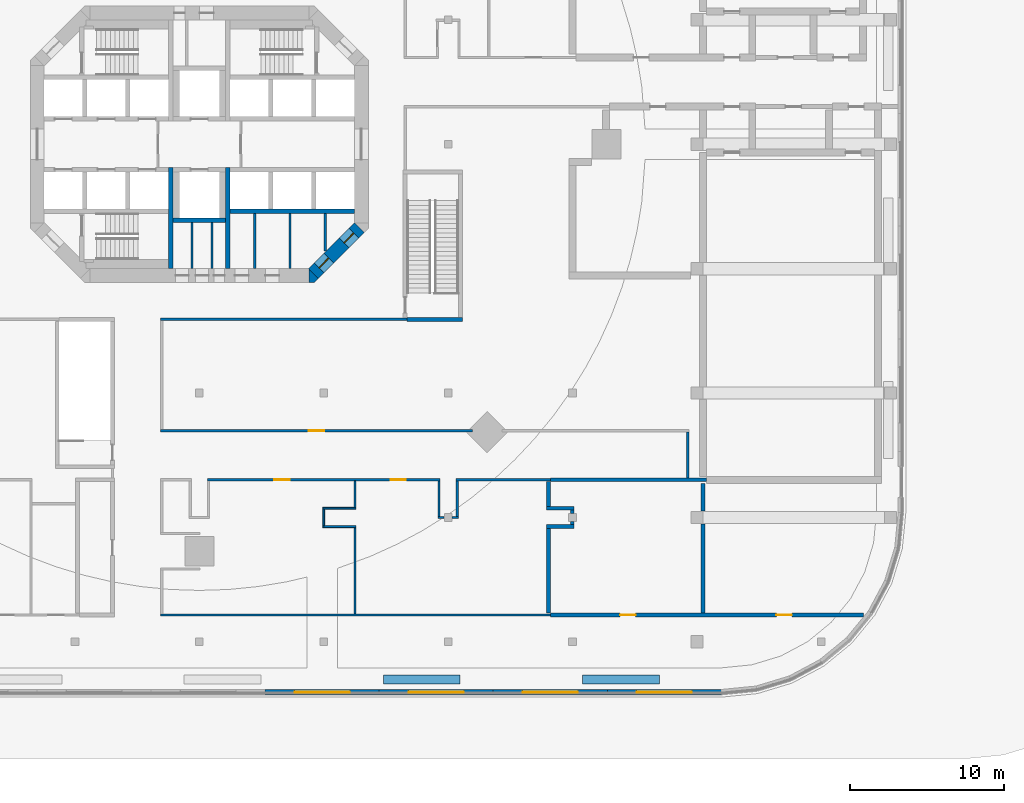
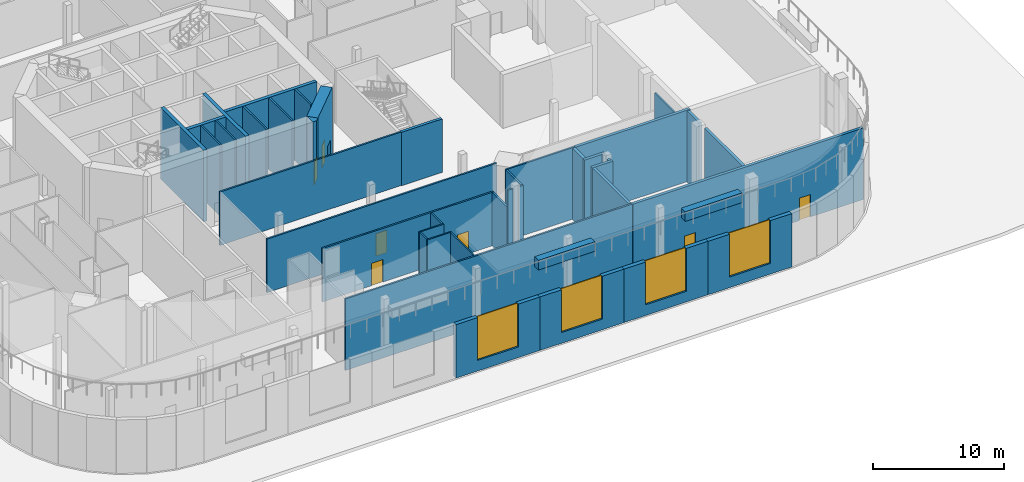
# One storey, part 8 of 17: 43 walls, 7 doors, 4 windows, 11 openings.
"""IFC4 building model written with IfcOpenShell, lengths in metres."""

from ifc_helpers import new_model, si_unit, direction, frame, frame_2d, origin, place, context, subcontext, project, spatial, polyline, rectangle, outline, extrude, material, layer, layer_set, type_object, element, fill, save


model = new_model("IFC4")

# Units and contexts
model_context = context("Model", 3, precision=1e-05, world=origin(), true_north=direction((0.0, 1.0)))
body_context = subcontext(model_context, "Body", "Model", "MODEL_VIEW")
ifc_project = project(units=[si_unit("LENGTHUNIT", "METRE"), si_unit("AREAUNIT", "SQUARE_METRE"), si_unit("VOLUMEUNIT", "CUBIC_METRE"), si_unit("PLANEANGLEUNIT", "RADIAN"), si_unit("MASSUNIT", "GRAM", prefix="KILO")], contexts=[model_context])

# Site, building, storey
site_placement = place(None, origin())
site = spatial("IfcSite", under=ifc_project, at=site_placement, CompositionType="ELEMENT")
building_placement = place(site_placement, origin())
building = spatial("IfcBuilding", under=site, at=building_placement, Name="Torre Triforio", CompositionType="ELEMENT")
storey_placement = place(building_placement, frame((0.0, 0.0, 13.0)))
storey = spatial("IfcBuildingStorey", under=building, at=storey_placement, Name="L02", CompositionType="ELEMENT", Elevation=13.0)

# Walls
ifc_material_1 = material(Name="Concrete C60", Category="concrete")
ifc_layer_1 = layer(ifc_material_1, 0.300048828125)
ifc_layer_set_1 = layer_set([ifc_layer_1], Name="Concrete C60")
wall_type_1 = type_object("IfcWallType", Name="Core wall 300 mm C60 EI 120", PredefinedType="SHEAR", material=ifc_layer_set_1)
for number, where, z_axis, x_axis, name in (
    (1, (-1.85009765625, -8.10009765625, 0.0), (0.0, 0.0, 1.0), (0.0, 1.0, 0.0), "Core wall"),
    (2, (1.85009765625, -8.10009765625, 0.0), (0.0, 0.0, 1.0), (0.0, 1.0, 0.0), "Core wall"),
):
    element("IfcWall", number, at=place(storey_placement, frame(where, z_axis=z_axis, x_axis=x_axis)), inside=storey, type_object=wall_type_1, Name=name, PredefinedType="SHEAR", context=body_context, shape_type="SweptSolid", body=[
        extrude(rectangle(XDim=6.60009765625, YDim=0.300048828125, at=frame_2d((3.300048828125, 0.0))), origin(), (0.0, 0.0, 1.0), 6.679931640625),
    ])

# Wall, openings, doors
ifc_layer_2 = layer(ifc_material_1, 0.89990234375)
ifc_layer_set_2 = layer_set([ifc_layer_2], Name="Concrete C60")
wall_type_2 = type_object("IfcWallType", Name="Core wall 900 mm C60 EI 120", PredefinedType="SHEAR", material=ifc_layer_set_2)
wall_1_placement = place(storey_placement, frame((10.418212890625, -5.418212890625, -0.320068359375), z_axis=(0.0, 0.0, 1.0), x_axis=(-0.707106781187, -0.707106781187, 0.0)))
wall_1 = element("IfcWall", 3, at=wall_1_placement, inside=storey, type_object=wall_type_2, Name="Core wall", PredefinedType="SHEAR", context=body_context, shape_type="SweptSolid", body=[
    extrude(rectangle(XDim=4.24267578125, YDim=0.89990234375, at=frame_2d((2.121337890625, 0.0))), origin(), (0.0, 0.0, 1.0), 7.0),
])
opening_1_placement = place(wall_1_placement, frame((2.82275390625, 0.0, 0.320068359375)))
opening_1 = element("IfcOpeningElement", 4, at=opening_1_placement, cuts=wall_1, Name="Opening SE-03", PredefinedType="OPENING", context=body_context, shape_type="SweptSolid", body=[
    extrude(rectangle(XDim=0.89990234375, YDim=2.10009765625, at=frame_2d((0.449951171875, 1.050048828125))), frame((0.0, 0.4599609375, 0.0), z_axis=(0.0, -1.0, 0.0), x_axis=(1.0, 0.0, 0.0)), (0.0, 0.0, 1.0), 0.919921875),
])
opening_2_placement = place(wall_1_placement, frame((0.52001953125, 0.0, 0.320068359375)))
opening_2 = element("IfcOpeningElement", 5, at=opening_2_placement, cuts=wall_1, Name="Opening SE-04", PredefinedType="OPENING", context=body_context, shape_type="SweptSolid", body=[
    extrude(rectangle(XDim=0.89990234375, YDim=2.10009765625, at=frame_2d((0.449951171875, 1.050048828125))), frame((0.0, 0.4599609375, 0.0), z_axis=(0.0, -1.0, 0.0), x_axis=(1.0, 0.0, 0.0)), (0.0, 0.0, 1.0), 0.919921875),
])
ifc_material_2 = material(Name="Hollow metal fire door leaf")
door_type_1 = type_object("IfcDoorType", Name="Room door 900 x 2100 EI 60", OperationType="NOTDEFINED", PredefinedType="DOOR", material=ifc_material_2)
door_1_placement = place(opening_1_placement, origin())
door_1 = element("IfcDoor", 6, at=door_1_placement, inside=storey, type_object=door_type_1, Name="Core door SE-03", OperationType="SINGLE_SWING_RIGHT", OverallHeight=2.10009765625, OverallWidth=0.89990234375, PredefinedType="DOOR", context=body_context, shape_type="SweptSolid", body=[
    extrude(rectangle(XDim=0.89990234375, YDim=2.10009765625, at=frame_2d((0.449951171875, 1.050048828125))), frame((0.0, 0.02490234375, 0.0), z_axis=(0.0, -1.0, 0.0), x_axis=(1.0, 0.0, 0.0)), (0.0, 0.0, 1.0), 0.050048828125),
])
fill(opening_1, door_1)
door_2_placement = place(opening_2_placement, origin())
door_2 = element("IfcDoor", 7, at=door_2_placement, inside=storey, type_object=door_type_1, Name="Core door SE-04", OperationType="SINGLE_SWING_LEFT", OverallHeight=2.10009765625, OverallWidth=0.89990234375, PredefinedType="DOOR", context=body_context, shape_type="SweptSolid", body=[
    extrude(rectangle(XDim=0.89990234375, YDim=2.10009765625, at=frame_2d((0.449951171875, 1.050048828125))), frame((0.0, 0.02490234375, 0.0), z_axis=(0.0, -1.0, 0.0), x_axis=(1.0, 0.0, 0.0)), (0.0, 0.0, 1.0), 0.050048828125),
])
fill(opening_2, door_2)

# Wall
wall_2_placement = place(storey_placement, frame((0.0, 0.0, -0.320068359375)))
element("IfcWall", 8, at=wall_2_placement, inside=storey, type_object=wall_type_2, Name="Core wall", PredefinedType="SHEAR", context=body_context, shape_type="SweptSolid", body=[
    extrude(outline(polyline([(7.472900390625, -9.0), (7.1298828125, -9.0), (7.1298828125, -8.1298828125), (7.736328125, -8.736328125), (7.472900390625, -9.0)])), origin(), (0.0, 0.0, 1.0), 7.0),
])

# Wall, openings, doors
ifc_material_3 = material(Name="Plasterboard on metal studs")
ifc_layer_3 = layer(ifc_material_3, 0.14990234375)
ifc_layer_set_3 = layer_set([ifc_layer_3], Name="Plasterboard on metal studs")
wall_type_3 = type_object("IfcWallType", Name="Corridor wall 150 EI 60", PredefinedType="PARTITIONING", material=ifc_layer_set_3)
wall_3_placement = place(storey_placement, frame((0.52490234375, -21.85009765625, 0.0), z_axis=(0.0, 0.0, 1.0), x_axis=(1.0, 0.0, 0.0)))
wall_3 = element("IfcWall", 9, at=wall_3_placement, inside=storey, type_object=wall_type_3, Name="Corridor wall L02 108", PredefinedType="PARTITIONING", context=body_context, shape_type="SweptSolid", body=[
    extrude(rectangle(XDim=15.150146484375, YDim=0.14990234375, at=frame_2d((7.5751953125, 0.0))), origin(), (0.0, 0.0, 1.0), 5.0),
])
opening_3_placement = place(wall_3_placement, frame((4.35009765625, 0.0, 0.0)))
opening_3 = element("IfcOpeningElement", 10, at=opening_3_placement, cuts=wall_3, Name="Opening P2-24", PredefinedType="OPENING", context=body_context, shape_type="SweptSolid", body=[
    extrude(rectangle(XDim=1.0, YDim=2.10009765625, at=frame_2d((0.5, 1.050048828125))), frame((0.0, 0.0849609375, 0.0), z_axis=(0.0, -1.0, 0.0), x_axis=(1.0, 0.0, 0.0)), (0.0, 0.0, 1.0), 0.169921875),
])
opening_4_placement = place(wall_3_placement, frame((11.92431640625, 0.0, 0.0)))
opening_4 = element("IfcOpeningElement", 11, at=opening_4_placement, cuts=wall_3, Name="Opening P2-25", PredefinedType="OPENING", context=body_context, shape_type="SweptSolid", body=[
    extrude(rectangle(XDim=1.0, YDim=2.10009765625, at=frame_2d((0.5, 1.050048828125))), frame((0.0, 0.0849609375, 0.0), z_axis=(0.0, -1.0, 0.0), x_axis=(1.0, 0.0, 0.0)), (0.0, 0.0, 1.0), 0.169921875),
])
ifc_material_4 = material(Name="Timber door leaf", Category="wood")
door_type_2 = type_object("IfcDoorType", Name="Single door 1000 x 2100 EI 30", OperationType="NOTDEFINED", PredefinedType="DOOR", material=ifc_material_4)
door_3_placement = place(opening_3_placement, origin())
door_3 = element("IfcDoor", 12, at=door_3_placement, inside=storey, type_object=door_type_2, Name="Door P2-24", OperationType="SINGLE_SWING_LEFT", OverallHeight=2.10009765625, OverallWidth=1.0, PredefinedType="DOOR", context=body_context, shape_type="SweptSolid", body=[
    extrude(rectangle(XDim=1.0, YDim=2.10009765625, at=frame_2d((0.5, 1.050048828125))), frame((0.0, 0.02490234375, 0.0), z_axis=(0.0, -1.0, 0.0), x_axis=(1.0, 0.0, 0.0)), (0.0, 0.0, 1.0), 0.050048828125),
])
fill(opening_3, door_3)
door_4_placement = place(opening_4_placement, origin())
door_4 = element("IfcDoor", 13, at=door_4_placement, inside=storey, type_object=door_type_2, Name="Door P2-25", OperationType="SINGLE_SWING_LEFT", OverallHeight=2.10009765625, OverallWidth=1.0, PredefinedType="DOOR", context=body_context, shape_type="SweptSolid", body=[
    extrude(rectangle(XDim=1.0, YDim=2.10009765625, at=frame_2d((0.5, 1.050048828125))), frame((0.0, 0.02490234375, 0.0), z_axis=(0.0, -1.0, 0.0), x_axis=(1.0, 0.0, 0.0)), (0.0, 0.0, 1.0), 0.050048828125),
])
fill(opening_4, door_4)

# Walls
wall_4_placement = place(storey_placement, frame((-2.52490234375, -30.64990234375, 0.0), z_axis=(0.0, 0.0, 1.0), x_axis=(1.0, 0.0, 0.0)))
element("IfcWall", 14, at=wall_4_placement, inside=storey, type_object=wall_type_3, Name="Corridor wall L02 111", PredefinedType="PARTITIONING", context=body_context, shape_type="SweptSolid", body=[
    extrude(rectangle(XDim=25.37841796875, YDim=0.14990234375, at=frame_2d((12.689208984375, 0.0))), origin(), (0.0, 0.0, 1.0), 6.679931640625),
])
for number, where, z_axis, x_axis, name in (
    (15, (15.52490234375, -24.300048828125, 0.0), (0.0, 0.0, 1.0), (1.0, 0.0, 0.0), "Corridor wall L02 116"),
    (16, (16.4599609375, -24.300048828125, 0.0), (0.0, 0.0, 1.0), (1.0, 0.0, 0.0), "Corridor wall L02 117"),
):
    element("IfcWall", number, at=place(storey_placement, frame(where, z_axis=z_axis, x_axis=x_axis)), inside=storey, type_object=wall_type_3, Name=name, PredefinedType="PARTITIONING", context=body_context, shape_type="SweptSolid", body=[
        extrude(rectangle(XDim=0.4150390625, YDim=0.14990234375, at=frame_2d((0.20751953125, 0.0))), origin(), (0.0, 0.0, 1.0), 6.679931640625),
    ])
wall_5_placement = place(storey_placement, frame((16.72509765625, -21.85009765625, 0.0), z_axis=(0.0, 0.0, 1.0), x_axis=(1.0, 0.0, 0.0)))
element("IfcWall", 17, at=wall_5_placement, inside=storey, type_object=wall_type_3, Name="Corridor wall L02 118", PredefinedType="PARTITIONING", context=body_context, shape_type="SweptSolid", body=[
    extrude(rectangle(XDim=6.12841796875, YDim=0.14990234375, at=frame_2d((3.064208984375, 0.0))), origin(), (0.0, 0.0, 1.0), 6.679931640625),
])
wall_6_placement = place(storey_placement, frame((15.60009765625, -24.22509765625, 0.0), z_axis=(0.0, 0.0, 1.0), x_axis=(0.0, 1.0, 0.0)))
element("IfcWall", 18, at=wall_6_placement, inside=storey, type_object=wall_type_3, Name="Corridor wall L02 119", PredefinedType="PARTITIONING", context=body_context, shape_type="SweptSolid", body=[
    extrude(rectangle(XDim=2.300048828125, YDim=0.14990234375, at=frame_2d((1.14990234375, 0.0))), origin(), (0.0, 0.0, 1.0), 5.0),
])
wall_7_placement = place(storey_placement, frame((16.800048828125, -24.22509765625, 0.0), z_axis=(0.0, 0.0, 1.0), x_axis=(0.0, 1.0, 0.0)))
element("IfcWall", 19, at=wall_7_placement, inside=storey, type_object=wall_type_3, Name="Corridor wall L02 120", PredefinedType="PARTITIONING", context=body_context, shape_type="SweptSolid", body=[
    extrude(rectangle(XDim=2.300048828125, YDim=0.14990234375, at=frame_2d((1.14990234375, 0.0))), origin(), (0.0, 0.0, 1.0), 6.679931640625),
])
wall_8_placement = place(storey_placement, frame((-2.52490234375, -11.39990234375, 0.0), z_axis=(0.0, 0.0, 1.0), x_axis=(1.0, 0.0, 0.0)))
element("IfcWall", 20, at=wall_8_placement, inside=storey, type_object=wall_type_3, Name="Corridor wall L02 141", PredefinedType="PARTITIONING", context=body_context, shape_type="SweptSolid", body=[
    extrude(rectangle(XDim=16.0498046875, YDim=0.14990234375, at=frame_2d((8.02490234375, 0.0))), origin(), (0.0, 0.0, 1.0), 5.0),
])

# Wall, opening, door
wall_9_placement = place(storey_placement, frame((-2.52490234375, -18.64990234375, 0.0), z_axis=(0.0, 0.0, 1.0), x_axis=(1.0, 0.0, 0.0)))
wall_9 = element("IfcWall", 21, at=wall_9_placement, inside=storey, type_object=wall_type_3, Name="Corridor wall L02 147", PredefinedType="PARTITIONING", context=body_context, shape_type="SweptSolid", body=[
    extrude(rectangle(XDim=20.30322265625, YDim=0.14990234375, at=frame_2d((10.151611328125, 0.0))), origin(), (0.0, 0.0, 1.0), 5.0),
])
opening_5_placement = place(wall_9_placement, frame((9.64990234375, 0.0, 0.0)))
opening_5 = element("IfcOpeningElement", 22, at=opening_5_placement, cuts=wall_9, Name="Opening P2-20", PredefinedType="OPENING", context=body_context, shape_type="SweptSolid", body=[
    extrude(rectangle(XDim=1.0, YDim=2.10009765625, at=frame_2d((0.5, 1.050048828125))), frame((0.0, 0.0849609375, 0.0), z_axis=(0.0, -1.0, 0.0), x_axis=(1.0, 0.0, 0.0)), (0.0, 0.0, 1.0), 0.169921875),
])
door_5_placement = place(opening_5_placement, origin())
door_5 = element("IfcDoor", 23, at=door_5_placement, inside=storey, type_object=door_type_2, Name="Door P2-20", OperationType="SINGLE_SWING_LEFT", OverallHeight=2.10009765625, OverallWidth=1.0, PredefinedType="DOOR", context=body_context, shape_type="SweptSolid", body=[
    extrude(rectangle(XDim=1.0, YDim=2.10009765625, at=frame_2d((0.5, 1.050048828125))), frame((0.0, 0.02490234375, 0.0), z_axis=(0.0, -1.0, 0.0), x_axis=(1.0, 0.0, 0.0)), (0.0, 0.0, 1.0), 0.050048828125),
])
fill(opening_5, door_5)

# Walls
wall_10_placement = place(storey_placement, frame((31.800048828125, -21.72509765625, 0.0), z_axis=(0.0, 0.0, 1.0), x_axis=(0.0, 1.0, 0.0)))
element("IfcWall", 24, at=wall_10_placement, inside=storey, type_object=wall_type_3, Name="Corridor wall L02 149", PredefinedType="PARTITIONING", context=body_context, shape_type="SweptSolid", body=[
    extrude(rectangle(XDim=3.0, YDim=0.14990234375, at=frame_2d((1.5, 0.0))), origin(), (0.0, 0.0, 1.0), 6.679931640625),
])
ifc_layer_4 = layer(ifc_material_3, 0.1201171875)
ifc_layer_set_4 = layer_set([ifc_layer_4], Name="Plasterboard on metal studs")
wall_type_4 = type_object("IfcWallType", Name="Partition 120", PredefinedType="PARTITIONING", material=ifc_layer_set_4)
for number, where, z_axis, x_axis, name in (
    (25, (8.0400390625, -24.89990234375, 0.0), (0.0, 0.0, 1.0), (1.0, 0.0, 0.0), "Partition L02 101"),
    (26, (8.0400390625, -23.699951171875, 0.0), (0.0, 0.0, 1.0), (1.0, 0.0, 0.0), "Partition L02 102"),
):
    element("IfcWall", number, at=place(storey_placement, frame(where, z_axis=z_axis, x_axis=x_axis)), inside=storey, type_object=wall_type_4, Name=name, PredefinedType="PARTITIONING", context=body_context, shape_type="SweptSolid", body=[
        extrude(rectangle(XDim=2.1591796875, YDim=0.1201171875, at=frame_2d((1.07958984375, 0.0))), origin(), (0.0, 0.0, 1.0), 5.0),
    ])
wall_11_placement = place(storey_placement, frame((8.10009765625, -24.840087890625, 0.0), z_axis=(0.0, 0.0, 1.0), x_axis=(0.0, 1.0, 0.0)))
element("IfcWall", 27, at=wall_11_placement, inside=storey, type_object=wall_type_4, Name="Partition L02 103", PredefinedType="PARTITIONING", context=body_context, shape_type="SweptSolid", body=[
    extrude(rectangle(XDim=1.080078125, YDim=0.1201171875, at=frame_2d((0.5400390625, 0.0))), origin(), (0.0, 0.0, 1.0), 5.0),
])
wall_12_placement = place(storey_placement, frame((10.139404296875, -30.574951171875, 0.0), z_axis=(0.0, 0.0, 1.0), x_axis=(0.0, 1.0, 0.0)))
element("IfcWall", 28, at=wall_12_placement, inside=storey, type_object=wall_type_4, Name="Partition L02 104", PredefinedType="PARTITIONING", context=body_context, shape_type="SweptSolid", body=[
    extrude(rectangle(XDim=5.614990234375, YDim=0.1201171875, at=frame_2d((2.8076171875, 0.0))), origin(), (0.0, 0.0, 1.0), 5.0),
])
wall_13_placement = place(storey_placement, frame((10.139404296875, -23.639892578125, 0.0), z_axis=(0.0, 0.0, 1.0), x_axis=(0.0, 1.0, 0.0)))
element("IfcWall", 29, at=wall_13_placement, inside=storey, type_object=wall_type_4, Name="Partition L02 105", PredefinedType="PARTITIONING", context=body_context, shape_type="SweptSolid", body=[
    extrude(rectangle(XDim=1.71484375, YDim=0.1201171875, at=frame_2d((0.857421875, 0.0))), origin(), (0.0, 0.0, 1.0), 5.0),
])
ifc_material_5 = material(Name="Block and board partition")
ifc_layer_5 = layer(ifc_material_5, 0.14990234375)
ifc_layer_set_5 = layer_set([ifc_layer_5], Name="Block and board partition")
wall_type_5 = type_object("IfcWallType", Name="Partition 150 mm", PredefinedType="PARTITIONING", material=ifc_layer_set_5)
wall_14_placement = place(storey_placement, frame((-0.47509765625, -8.10009765625, 0.0), z_axis=(0.0, 0.0, 1.0), x_axis=(0.0, 1.0, 0.0)))
element("IfcWall", 30, at=wall_14_placement, inside=storey, type_object=wall_type_5, Name="Partition", PredefinedType="PARTITIONING", context=body_context, shape_type="SweptSolid", body=[
    extrude(rectangle(XDim=3.0, YDim=0.14990234375, at=frame_2d((1.5, 0.0))), origin(), (0.0, 0.0, 1.0), 6.679931640625),
])
for number, where, z_axis, x_axis, name in (
    (31, (3.60498046875, -8.10009765625, 0.0), (0.0, 0.0, 1.0), (0.0, 1.0, 0.0), "Partition"),
    (32, (5.89697265625, -8.10009765625, 0.0), (0.0, 0.0, 1.0), (0.0, 1.0, 0.0), "Partition"),
):
    element("IfcWall", number, at=place(storey_placement, frame(where, z_axis=z_axis, x_axis=x_axis)), inside=storey, type_object=wall_type_5, Name=name, PredefinedType="PARTITIONING", context=body_context, shape_type="SweptSolid", body=[
        extrude(rectangle(XDim=3.60009765625, YDim=0.14990234375, at=frame_2d((1.800048828125, 0.0))), origin(), (0.0, 0.0, 1.0), 6.679931640625),
    ])
wall_15_placement = place(storey_placement, frame((8.18896484375, -6.93603515625, 0.0), z_axis=(0.0, 0.0, 1.0), x_axis=(0.0, 1.0, 0.0)))
element("IfcWall", 33, at=wall_15_placement, inside=storey, type_object=wall_type_5, Name="Partition", PredefinedType="PARTITIONING", context=body_context, shape_type="SweptSolid", body=[
    extrude(rectangle(XDim=2.43603515625, YDim=0.14990234375, at=frame_2d((1.218017578125, 0.0))), origin(), (0.0, 0.0, 1.0), 6.679931640625),
])
ifc_layer_6 = layer(ifc_material_5, 0.14990234375)
ifc_layer_set_6 = layer_set([ifc_layer_6], Name="Block and board partition")
wall_type_6 = type_object("IfcWallType", Name="Partition 150 mm EI 120", PredefinedType="PARTITIONING", material=ifc_layer_set_6)
wall_16_placement = place(storey_placement, frame((0.824951171875, -8.10009765625, 0.0), z_axis=(0.0, 0.0, 1.0), x_axis=(0.0, 1.0, 0.0)))
element("IfcWall", 34, at=wall_16_placement, inside=storey, type_object=wall_type_6, Name="Partition", PredefinedType="PARTITIONING", context=body_context, shape_type="SweptSolid", body=[
    extrude(rectangle(XDim=3.0, YDim=0.14990234375, at=frame_2d((1.5, 0.0))), origin(), (0.0, 0.0, 1.0), 6.679931640625),
])
ifc_material_6 = material(Name="Masonry block", Category="masonry")
ifc_layer_7 = layer(ifc_material_6, 0.25)
ifc_layer_set_7 = layer_set([ifc_layer_7], Name="Masonry block")
wall_type_7 = type_object("IfcWallType", Name="Plant room wall 250 EI 120", PredefinedType="PARTITIONING", material=ifc_layer_set_7)
for number, where, z_axis, x_axis, name in (
    (35, (22.603515625, -24.89990234375, 0.0), (0.0, 0.0, 1.0), (1.0, 0.0, 0.0), "Plant room wall L02 121"),
    (36, (22.603515625, -23.699951171875, 0.0), (0.0, 0.0, 1.0), (1.0, 0.0, 0.0), "Plant room wall L02 122"),
):
    element("IfcWall", number, at=place(storey_placement, frame(where, z_axis=z_axis, x_axis=x_axis)), inside=storey, type_object=wall_type_7, Name=name, PredefinedType="PARTITIONING", context=body_context, shape_type="SweptSolid", body=[
        extrude(rectangle(XDim=1.801513671875, YDim=0.25, at=frame_2d((0.90087890625, 0.0))), origin(), (0.0, 0.0, 1.0), 6.679931640625),
    ])
wall_17_placement = place(storey_placement, frame((22.728515625, -30.52490234375, 0.0), z_axis=(0.0, 0.0, 1.0), x_axis=(0.0, 1.0, 0.0)))
element("IfcWall", 37, at=wall_17_placement, inside=storey, type_object=wall_type_7, Name="Plant room wall L02 123", PredefinedType="PARTITIONING", context=body_context, shape_type="SweptSolid", body=[
    extrude(rectangle(XDim=5.5, YDim=0.25, at=frame_2d((2.75, 0.0))), origin(), (0.0, 0.0, 1.0), 6.679931640625),
])
wall_18_placement = place(storey_placement, frame((22.728515625, -23.574951171875, 0.0), z_axis=(0.0, 0.0, 1.0), x_axis=(0.0, 1.0, 0.0)))
element("IfcWall", 38, at=wall_18_placement, inside=storey, type_object=wall_type_7, Name="Plant room wall L02 124", PredefinedType="PARTITIONING", context=body_context, shape_type="SweptSolid", body=[
    extrude(rectangle(XDim=1.599853515625, YDim=0.25, at=frame_2d((0.7998046875, 0.0))), origin(), (0.0, 0.0, 1.0), 6.679931640625),
])
wall_19_placement = place(storey_placement, frame((24.280029296875, -24.77490234375, 0.0), z_axis=(0.0, 0.0, 1.0), x_axis=(0.0, 1.0, 0.0)))
element("IfcWall", 39, at=wall_19_placement, inside=storey, type_object=wall_type_7, Name="Plant room wall L02 125", PredefinedType="PARTITIONING", context=body_context, shape_type="SweptSolid", body=[
    extrude(rectangle(XDim=0.21484375, YDim=0.25, at=frame_2d((0.107421875, 0.0))), origin(), (0.0, 0.0, 1.0), 6.679931640625),
])
wall_20_placement = place(storey_placement, frame((24.280029296875, -24.0400390625, 0.0), z_axis=(0.0, 0.0, 1.0), x_axis=(0.0, 1.0, 0.0)))
element("IfcWall", 40, at=wall_20_placement, inside=storey, type_object=wall_type_7, Name="Plant room wall L02 126", PredefinedType="PARTITIONING", context=body_context, shape_type="SweptSolid", body=[
    extrude(rectangle(XDim=0.215087890625, YDim=0.25, at=frame_2d((0.107421875, 0.0))), origin(), (0.0, 0.0, 1.0), 6.679931640625),
])
wall_21_placement = place(storey_placement, frame((22.853515625, -21.85009765625, 0.0), z_axis=(0.0, 0.0, 1.0), x_axis=(1.0, 0.0, 0.0)))
element("IfcWall", 41, at=wall_21_placement, inside=storey, type_object=wall_type_7, Name="Plant room wall L02 150", PredefinedType="PARTITIONING", context=body_context, shape_type="SweptSolid", body=[
    extrude(rectangle(XDim=10.17138671875, YDim=0.25, at=frame_2d((5.085693359375, 0.0))), origin(), (0.0, 0.0, 1.0), 6.679931640625),
])
wall_22_placement = place(storey_placement, frame((32.800048828125, -30.52490234375, 0.0), z_axis=(0.0, 0.0, 1.0), x_axis=(0.0, 1.0, 0.0)))
element("IfcWall", 42, at=wall_22_placement, inside=storey, type_object=wall_type_7, Name="Plant room wall L02 153", PredefinedType="PARTITIONING", context=body_context, shape_type="SweptSolid", body=[
    extrude(rectangle(XDim=5.81494140625, YDim=0.25, at=frame_2d((2.907470703125, 0.0))), origin(), (0.0, 0.0, 1.0), 6.679931640625),
])
wall_23_placement = place(storey_placement, frame((32.800048828125, -23.889892578125, 0.0), z_axis=(0.0, 0.0, 1.0), x_axis=(0.0, 1.0, 0.0)))
element("IfcWall", 43, at=wall_23_placement, inside=storey, type_object=wall_type_7, Name="Plant room wall L02 154", PredefinedType="PARTITIONING", context=body_context, shape_type="SweptSolid", body=[
    extrude(rectangle(XDim=1.81494140625, YDim=0.25, at=frame_2d((0.907470703125, 0.0))), origin(), (0.0, 0.0, 1.0), 6.679931640625),
])

# Wall, openings, doors
wall_24_placement = place(storey_placement, frame((22.853515625, -30.64990234375, 0.0), z_axis=(0.0, 0.0, 1.0), x_axis=(1.0, 0.0, 0.0)))
wall_24 = element("IfcWall", 44, at=wall_24_placement, inside=storey, type_object=wall_type_7, Name="Plant room wall L02 155", PredefinedType="PARTITIONING", context=body_context, shape_type="SweptSolid", body=[
    extrude(rectangle(XDim=20.385986328125, YDim=0.25, at=frame_2d((10.19287109375, 0.0))), origin(), (0.0, 0.0, 1.0), 6.679931640625),
])
opening_6_placement = place(wall_24_placement, frame((4.550048828125, 0.0, 0.0)))
opening_6 = element("IfcOpeningElement", 45, at=opening_6_placement, cuts=wall_24, Name="Opening P2-26", PredefinedType="OPENING", context=body_context, shape_type="SweptSolid", body=[
    extrude(rectangle(XDim=1.0, YDim=2.10009765625, at=frame_2d((0.5, 1.050048828125))), frame((0.0, 0.135009765625, 0.0), z_axis=(0.0, -1.0, 0.0), x_axis=(1.0, 0.0, 0.0)), (0.0, 0.0, 1.0), 0.27001953125),
])
opening_7_placement = place(wall_24_placement, frame((14.721435546875, 0.0, 0.0)))
opening_7 = element("IfcOpeningElement", 46, at=opening_7_placement, cuts=wall_24, Name="Opening P2-27", PredefinedType="OPENING", context=body_context, shape_type="SweptSolid", body=[
    extrude(rectangle(XDim=1.0, YDim=2.10009765625, at=frame_2d((0.5, 1.050048828125))), frame((0.0, 0.135009765625, 0.0), z_axis=(0.0, -1.0, 0.0), x_axis=(1.0, 0.0, 0.0)), (0.0, 0.0, 1.0), 0.27001953125),
])
door_type_3 = type_object("IfcDoorType", Name="Fire door 1000 x 2100 EI 60", OperationType="NOTDEFINED", PredefinedType="DOOR", material=ifc_material_2)
door_6_placement = place(opening_6_placement, origin())
door_6 = element("IfcDoor", 47, at=door_6_placement, inside=storey, type_object=door_type_3, Name="Door P2-26", OperationType="SINGLE_SWING_LEFT", OverallHeight=2.10009765625, OverallWidth=1.0, PredefinedType="DOOR", context=body_context, shape_type="SweptSolid", body=[
    extrude(rectangle(XDim=1.0, YDim=2.10009765625, at=frame_2d((0.5, 1.050048828125))), frame((0.0, 0.02490234375, 0.0), z_axis=(0.0, -1.0, 0.0), x_axis=(1.0, 0.0, 0.0)), (0.0, 0.0, 1.0), 0.050048828125),
])
fill(opening_6, door_6)
door_7_placement = place(opening_7_placement, origin())
door_7 = element("IfcDoor", 48, at=door_7_placement, inside=storey, type_object=door_type_3, Name="Door P2-27", OperationType="SINGLE_SWING_LEFT", OverallHeight=2.10009765625, OverallWidth=1.0, PredefinedType="DOOR", context=body_context, shape_type="SweptSolid", body=[
    extrude(rectangle(XDim=1.0, YDim=2.10009765625, at=frame_2d((0.5, 1.050048828125))), frame((0.0, 0.02490234375, 0.0), z_axis=(0.0, -1.0, 0.0), x_axis=(1.0, 0.0, 0.0)), (0.0, 0.0, 1.0), 0.050048828125),
])
fill(opening_7, door_7)

# Walls
ifc_layer_8 = layer(ifc_material_1, 0.300048828125)
ifc_layer_set_8 = layer_set([ifc_layer_8], Name="Concrete C60")
wall_type_8 = type_object("IfcWallType", Name="Shaft wall 300 mm C60 EI 120", PredefinedType="SOLIDWALL", material=ifc_layer_set_8)
wall_25_placement = place(storey_placement, frame((2.0, -4.35009765625, 0.0), z_axis=(0.0, 0.0, 1.0), x_axis=(1.0, 0.0, 0.0)))
element("IfcWall", 49, at=wall_25_placement, inside=storey, type_object=wall_type_8, Name="Shaft wall", PredefinedType="SOLIDWALL", context=body_context, shape_type="SweptSolid", body=[
    extrude(rectangle(XDim=8.10009765625, YDim=0.300048828125, at=frame_2d((4.050048828125, 0.0))), origin(), (0.0, 0.0, 1.0), 6.679931640625),
])
wall_26_placement = place(storey_placement, frame((-1.699951171875, -4.949951171875, 0.0), z_axis=(0.0, 0.0, 1.0), x_axis=(1.0, 0.0, 0.0)))
element("IfcWall", 50, at=wall_26_placement, inside=storey, type_object=wall_type_8, Name="Shaft wall", PredefinedType="SOLIDWALL", context=body_context, shape_type="SweptSolid", body=[
    extrude(rectangle(XDim=3.39990234375, YDim=0.300048828125, at=frame_2d((1.699951171875, 0.0))), origin(), (0.0, 0.0, 1.0), 6.679931640625),
])
ifc_material_7 = material(Name="Concrete C40", Category="concrete")
ifc_layer_9 = layer(ifc_material_7, 0.25)
ifc_layer_set_9 = layer_set([ifc_layer_9], Name="Concrete C40")
wall_type_9 = type_object("IfcWallType", Name="Stair enclosure wall 250 EI 120", PredefinedType="STANDARD", material=ifc_layer_set_9)
wall_27_placement = place(storey_placement, frame((13.52490234375, -11.39990234375, 0.0), z_axis=(0.0, 0.0, 1.0), x_axis=(1.0, 0.0, 0.0)))
element("IfcWall", 51, at=wall_27_placement, inside=storey, type_object=wall_type_9, Name="Stair enclosure wall L02 133", PredefinedType="STANDARD", context=body_context, shape_type="SweptSolid", body=[
    extrude(rectangle(XDim=3.60009765625, YDim=0.25, at=frame_2d((1.800048828125, 0.0))), origin(), (0.0, 0.0, 1.0), 5.0),
])

# Wall, opening, window
ifc_material_8 = material(Name="Limestone cladding", Category="masonry")
ifc_layer_10 = layer(ifc_material_8, 0.10009765625)
ifc_layer_11 = layer(ifc_material_7, 0.25)
ifc_layer_set_10 = layer_set([ifc_layer_10, ifc_layer_11], Name="Limestone cladding / Concrete C40")
wall_type_10 = type_object("IfcWallType", Name="Stone-clad podium wall 350", PredefinedType="STANDARD", material=ifc_layer_set_10)
wall_28_placement = place(storey_placement, frame((4.2880859375, -35.675048828125, 0.0), z_axis=(0.0, 0.0, 1.0), x_axis=(1.0, 0.0, 0.0)))
wall_28 = element("IfcWall", 52, at=wall_28_placement, inside=storey, type_object=wall_type_10, Name="External wall L02 e35.0.w3", PredefinedType="STANDARD", context=body_context, shape_type="SweptSolid", body=[
    extrude(rectangle(XDim=7.423828125, YDim=0.35009765625, at=frame_2d((3.7119140625, 0.0))), origin(), (0.0, 0.0, 1.0), 5.0),
])
opening_8_placement = place(wall_28_placement, frame((1.912109375, 0.0, 1.0)))
opening_8 = element("IfcOpeningElement", 53, at=opening_8_placement, cuts=wall_28, Name="Opening P2-W20", PredefinedType="OPENING", context=body_context, shape_type="SweptSolid", body=[
    extrude(rectangle(XDim=3.60009765625, YDim=4.0, at=frame_2d((1.800048828125, 2.0))), frame((0.0, 0.18505859375, 0.0), z_axis=(0.0, -1.0, 0.0), x_axis=(1.0, 0.0, 0.0)), (0.0, 0.0, 1.0), 0.3701171875),
])
ifc_material_9 = material(Name="Aluminium frame with clear double glazing", Category="aluminium")
window_type = type_object("IfcWindowType", Name="Podium window 3600 x 4000", PartitioningType="DOUBLE_PANEL_VERTICAL", PredefinedType="WINDOW", material=ifc_material_9)
window_1_placement = place(opening_8_placement, origin())
window_1 = element("IfcWindow", 54, at=window_1_placement, inside=storey, type_object=window_type, Name="Window L02 e35.0.w3", OverallHeight=4.0, OverallWidth=3.60009765625, PartitioningType="SINGLE_PANEL", PredefinedType="WINDOW", context=body_context, shape_type="SweptSolid", body=[
    extrude(rectangle(XDim=3.60009765625, YDim=4.0, at=frame_2d((1.800048828125, 2.0))), frame((0.0, 0.030029296875, 0.0), z_axis=(0.0, -1.0, 0.0), x_axis=(1.0, 0.0, 0.0)), (0.0, 0.0, 1.0), 0.06005859375),
])
fill(opening_8, window_1)

wall_29_placement = place(storey_placement, frame((11.7119140625, -35.675048828125, 0.0), z_axis=(0.0, 0.0, 1.0), x_axis=(1.0, 0.0, 0.0)))
wall_29 = element("IfcWall", 55, at=wall_29_placement, inside=storey, type_object=wall_type_10, Name="External wall L02 e35.0.w4", PredefinedType="STANDARD", context=body_context, shape_type="SweptSolid", body=[
    extrude(rectangle(XDim=7.424072265625, YDim=0.35009765625, at=frame_2d((3.7119140625, 0.0))), origin(), (0.0, 0.0, 1.0), 5.0),
])
opening_9_placement = place(wall_29_placement, frame((1.912109375, 0.0, 1.0)))
opening_9 = element("IfcOpeningElement", 56, at=opening_9_placement, cuts=wall_29, Name="Opening P2-W21", PredefinedType="OPENING", context=body_context, shape_type="SweptSolid", body=[
    extrude(rectangle(XDim=3.60009765625, YDim=4.0, at=frame_2d((1.800048828125, 2.0))), frame((0.0, 0.18505859375, 0.0), z_axis=(0.0, -1.0, 0.0), x_axis=(1.0, 0.0, 0.0)), (0.0, 0.0, 1.0), 0.3701171875),
])
window_2_placement = place(opening_9_placement, origin())
window_2 = element("IfcWindow", 57, at=window_2_placement, inside=storey, type_object=window_type, Name="Window L02 e35.0.w4", OverallHeight=4.0, OverallWidth=3.60009765625, PartitioningType="SINGLE_PANEL", PredefinedType="WINDOW", context=body_context, shape_type="SweptSolid", body=[
    extrude(rectangle(XDim=3.60009765625, YDim=4.0, at=frame_2d((1.800048828125, 2.0))), frame((0.0, 0.030029296875, 0.0), z_axis=(0.0, -1.0, 0.0), x_axis=(1.0, 0.0, 0.0)), (0.0, 0.0, 1.0), 0.06005859375),
])
fill(opening_9, window_2)

wall_30_placement = place(storey_placement, frame((19.135986328125, -35.675048828125, 0.0), z_axis=(0.0, 0.0, 1.0), x_axis=(1.0, 0.0, 0.0)))
wall_30 = element("IfcWall", 58, at=wall_30_placement, inside=storey, type_object=wall_type_10, Name="External wall L02 e35.0.w5", PredefinedType="STANDARD", context=body_context, shape_type="SweptSolid", body=[
    extrude(rectangle(XDim=7.424072265625, YDim=0.35009765625, at=frame_2d((3.7119140625, 0.0))), origin(), (0.0, 0.0, 1.0), 5.0),
])
opening_10_placement = place(wall_30_placement, frame((1.912109375, 0.0, 1.0)))
opening_10 = element("IfcOpeningElement", 59, at=opening_10_placement, cuts=wall_30, Name="Opening P2-W22", PredefinedType="OPENING", context=body_context, shape_type="SweptSolid", body=[
    extrude(rectangle(XDim=3.60009765625, YDim=4.0, at=frame_2d((1.800048828125, 2.0))), frame((0.0, 0.18505859375, 0.0), z_axis=(0.0, -1.0, 0.0), x_axis=(1.0, 0.0, 0.0)), (0.0, 0.0, 1.0), 0.3701171875),
])
window_3_placement = place(opening_10_placement, origin())
window_3 = element("IfcWindow", 60, at=window_3_placement, inside=storey, type_object=window_type, Name="Window L02 e35.0.w5", OverallHeight=4.0, OverallWidth=3.60009765625, PartitioningType="SINGLE_PANEL", PredefinedType="WINDOW", context=body_context, shape_type="SweptSolid", body=[
    extrude(rectangle(XDim=3.60009765625, YDim=4.0, at=frame_2d((1.800048828125, 2.0))), frame((0.0, 0.030029296875, 0.0), z_axis=(0.0, -1.0, 0.0), x_axis=(1.0, 0.0, 0.0)), (0.0, 0.0, 1.0), 0.06005859375),
])
fill(opening_10, window_3)

wall_31_placement = place(storey_placement, frame((26.56005859375, -35.675048828125, 0.0), z_axis=(0.0, 0.0, 1.0), x_axis=(1.0, 0.0, 0.0)))
wall_31 = element("IfcWall", 61, at=wall_31_placement, inside=storey, type_object=wall_type_10, Name="External wall L02 e35.0.w6", PredefinedType="STANDARD", context=body_context, shape_type="SweptSolid", body=[
    extrude(rectangle(XDim=7.423828125, YDim=0.35009765625, at=frame_2d((3.7119140625, 0.0))), origin(), (0.0, 0.0, 1.0), 5.0),
])
opening_11_placement = place(wall_31_placement, frame((1.912109375, 0.0, 1.0)))
opening_11 = element("IfcOpeningElement", 62, at=opening_11_placement, cuts=wall_31, Name="Opening P2-W23", PredefinedType="OPENING", context=body_context, shape_type="SweptSolid", body=[
    extrude(rectangle(XDim=3.60009765625, YDim=4.0, at=frame_2d((1.800048828125, 2.0))), frame((0.0, 0.18505859375, 0.0), z_axis=(0.0, -1.0, 0.0), x_axis=(1.0, 0.0, 0.0)), (0.0, 0.0, 1.0), 0.3701171875),
])
window_4_placement = place(opening_11_placement, origin())
window_4 = element("IfcWindow", 63, at=window_4_placement, inside=storey, type_object=window_type, Name="Window L02 e35.0.w6", OverallHeight=4.0, OverallWidth=3.60009765625, PartitioningType="SINGLE_PANEL", PredefinedType="WINDOW", context=body_context, shape_type="SweptSolid", body=[
    extrude(rectangle(XDim=3.60009765625, YDim=4.0, at=frame_2d((1.800048828125, 2.0))), frame((0.0, 0.030029296875, 0.0), z_axis=(0.0, -1.0, 0.0), x_axis=(1.0, 0.0, 0.0)), (0.0, 0.0, 1.0), 0.06005859375),
])
fill(opening_11, window_4)

# Walls
ifc_layer_12 = layer(ifc_material_8, 0.10009765625)
ifc_layer_13 = layer(ifc_material_7, 0.5)
ifc_layer_set_11 = layer_set([ifc_layer_12, ifc_layer_13], Name="Limestone cladding / Concrete C40")
wall_type_11 = type_object("IfcWallType", Name="Terrace planter wall 600", PredefinedType="PARAPET", material=ifc_layer_set_11)
for number, where, z_axis, x_axis, name in (
    (64, (11.98583984375, -34.85009765625, 7.0), (0.0, 0.0, 1.0), (1.0, 0.0, 0.0), "Terrace T3 planter 36.3"),
    (65, (24.95751953125, -34.85009765625, 7.0), (0.0, 0.0, 1.0), (1.0, 0.0, 0.0), "Terrace T3 planter 36.4"),
):
    element("IfcWall", number, at=place(storey_placement, frame(where, z_axis=z_axis, x_axis=x_axis)), inside=storey, type_object=wall_type_11, Name=name, PredefinedType="PARAPET", context=body_context, shape_type="SweptSolid", body=[
        extrude(rectangle(XDim=5.0, YDim=0.60009765625, at=frame_2d((2.5, 0.0))), origin(), (0.0, 0.0, 1.0), 0.89990234375),
    ])

save(model, "model.ifc")
